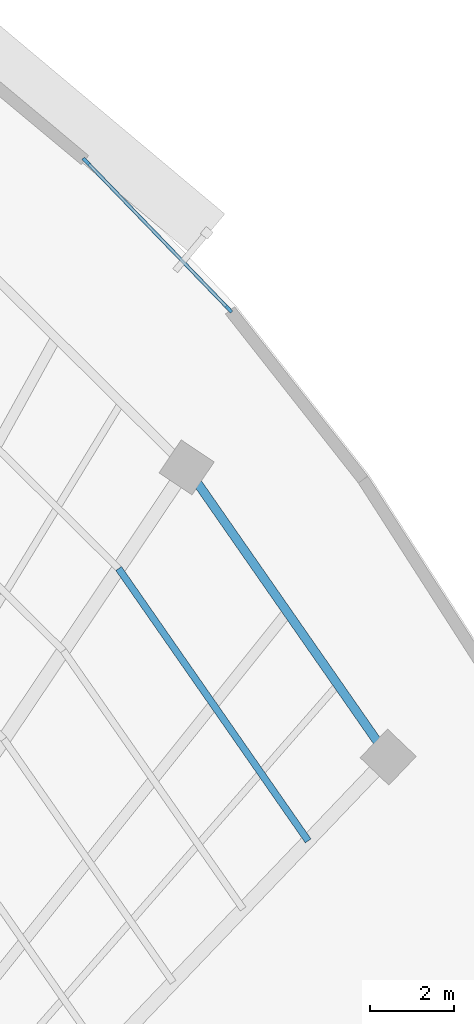
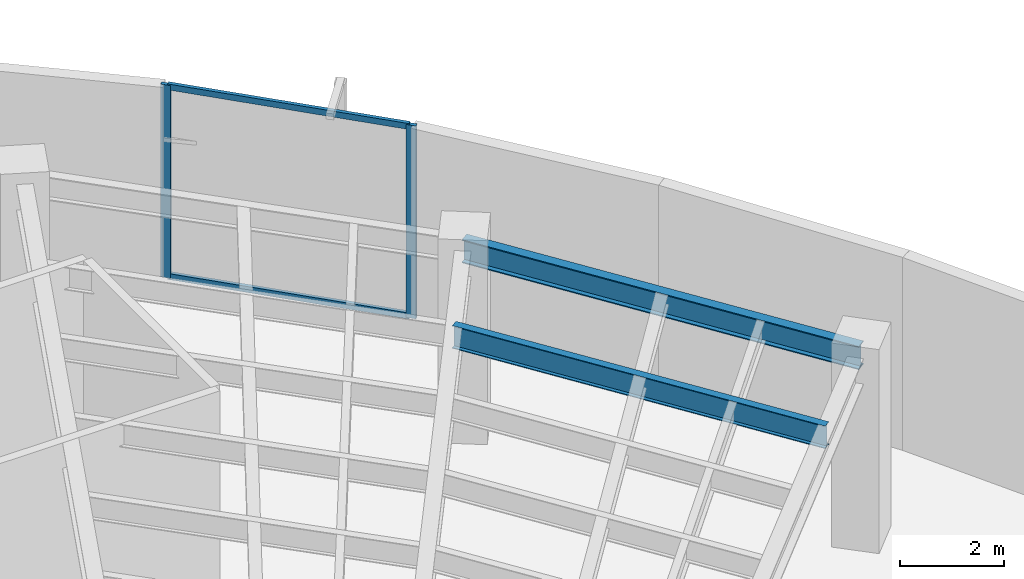
# One storey, part 6 of 15: 4 members, 2 beams, 1 element without a shape of its own.
"""IFC4 building model written with IfcOpenShell, lengths in metres."""

from ifc_helpers import new_model, si_unit, direction, frame, origin, origin_2d, place, context, subcontext, project, spatial, rectangle, i_section, extrude, source, transform, mapped, material, layer, layer_set, material_profile, profile_set, type_object, element, aggregate, save


model = new_model("IFC4")

# Units and contexts
model_context = context("Model", 3, precision=1e-05, world=origin(), true_north=direction((0.0, 1.0)))
body_context = subcontext(model_context, "Body", "Model", "MODEL_VIEW")
ifc_project = project(units=[si_unit("LENGTHUNIT", "METRE"), si_unit("AREAUNIT", "SQUARE_METRE"), si_unit("VOLUMEUNIT", "CUBIC_METRE"), si_unit("PLANEANGLEUNIT", "RADIAN"), si_unit("MASSUNIT", "GRAM", prefix="KILO")], contexts=[model_context])

# Site, building, storey
site_placement = place(None, origin())
site = spatial("IfcSite", under=ifc_project, at=site_placement, CompositionType="ELEMENT")
building_placement = place(site_placement, origin())
building = spatial("IfcBuilding", under=site, at=building_placement, Name="Breltana Convention Tower", CompositionType="ELEMENT")
storey_placement = place(building_placement, frame((0.0, 0.0, 199.199951171875)))
storey = spatial("IfcBuildingStorey", under=building, at=storey_placement, Name="L48", CompositionType="ELEMENT", Elevation=199.199951171875)

# Beams
ifc_material_1 = material(Name="Steel ASTM A992 Grade 50", Category="steel")
ifc_material_profile_1 = material_profile(ifc_material_1, i_section(OverallWidth=0.166015625, OverallDepth=0.534912109375, WebThickness=0.01025390625, FlangeThickness=0.0166015625, at=origin_2d()), Name="W21X57")
ifc_profile_set_1 = profile_set([ifc_material_profile_1], Name="Steel ASTM A992 Grade 50")
beam_type_1 = type_object("IfcBeamType", Name="BM-JSG-05", PredefinedType="JOIST", material=ifc_profile_set_1)
shared_shape_1 = source(origin(), body_context, "Body", "SweptSolid", [
    extrude(i_section(OverallWidth=0.166015625, OverallDepth=0.534912109375, WebThickness=0.01025390625, FlangeThickness=0.0166015625, at=origin_2d()), origin(), (0.0, 0.0, 1.0), 7.94384765625),
])
beam_1_placement = place(storey_placement, frame((73.539306640625, 60.00830078125, 4.2724609375), z_axis=(0.571213957374, -0.820801203034, 0.0), x_axis=(0.820801203034, 0.571213957374, 0.0)))
element("IfcBeam", 1, at=beam_1_placement, inside=storey, type_object=beam_type_1, Name="L48 Composite Floor Joist 10.6", PredefinedType="JOIST", context=body_context, shape_type="MappedRepresentation", body=[
    mapped(shared_shape_1, transform((0.0, 0.0, 0.0), scale=1.0)),
])
ifc_material_profile_2 = material_profile(ifc_material_1, i_section(OverallWidth=0.214111328125, OverallDepth=0.549072265625, WebThickness=0.0146484375, FlangeThickness=0.023681640625, at=origin_2d()), Name="W21X93")
ifc_profile_set_2 = profile_set([ifc_material_profile_2], Name="Steel ASTM A992 Grade 50")
beam_type_2 = type_object("IfcBeamType", Name="BM-SP-W21X93", PredefinedType="SPANDREL", material=ifc_profile_set_2)
shared_shape_2 = source(origin(), body_context, "Body", "SweptSolid", [
    extrude(i_section(OverallWidth=0.214111328125, OverallDepth=0.549072265625, WebThickness=0.0146484375, FlangeThickness=0.023681640625, at=origin_2d()), origin(), (0.0, 0.0, 1.0), 8.44970703125),
])
beam_2_placement = place(storey_placement, frame((75.166748046875, 62.43017578125, 4.265625), z_axis=(0.5711855381, -0.820820979913, 0.0), x_axis=(0.820820979913, 0.5711855381, 0.0)))
element("IfcBeam", 2, at=beam_2_placement, inside=storey, type_object=beam_type_2, Name="L48 Outer Spandrel Beam 10", PredefinedType="SPANDREL", context=body_context, shape_type="MappedRepresentation", body=[
    mapped(shared_shape_2, transform((0.0, 0.0, 0.0), scale=1.0)),
])

# Curtain wall, members
ifc_material_2 = material(Name="Aluminium Anodised Bronze Frame", Category="aluminium")
ifc_layer = layer(ifc_material_2, 0.239990234375, Name="Aluminium Anodised Bronze Frame")
ifc_layer_set = layer_set([ifc_layer], Name="Aluminium Anodised Bronze Frame")
curtain_wall_type = type_object("IfcCurtainWallType", Name="CW-SYS-6", PredefinedType="NOTDEFINED", material=ifc_layer_set)
curtain_wall_placement = place(storey_placement, origin())
curtain_wall = element("IfcCurtainWall", 3, at=curtain_wall_placement, inside=storey, type_object=curtain_wall_type, Name="L48 outer double-skin inner glazing 4", PredefinedType="NOTDEFINED")
ifc_material_3 = material(Name="Aluminium Anodised Bronze", Category="aluminium")
ifc_material_profile_3 = material_profile(ifc_material_3, rectangle(XDim=0.080078125, YDim=0.199951171875, at=origin_2d()), Name="CWM-80X200")
ifc_profile_set_3 = profile_set([ifc_material_profile_3], Name="Aluminium Anodised Bronze")
member_type_1 = type_object("IfcMemberType", Name="CWM-200", PredefinedType="MULLION", material=ifc_profile_set_3)
shared_shape_3 = source(origin(), body_context, "Body", "SweptSolid", [
    extrude(rectangle(XDim=0.080078125, YDim=0.199951171875, at=origin_2d()), origin(), (0.0, 0.0, 1.0), 4.5400390625),
])
member_1_placement = place(storey_placement, frame((72.759765625, 69.759033203125, 0.0), z_axis=(0.0, 0.0, 1.0), x_axis=(0.719396292115, 0.694599866751, 0.0)))
member_1 = element("IfcMember", 4, at=member_1_placement, type_object=member_type_1, Name="CW-06 mullion 1", PredefinedType="MULLION", context=body_context, shape_type="MappedRepresentation", body=[
    mapped(shared_shape_3, transform((0.0, 0.0, 0.0), scale=1.0)),
])
member_2_placement = place(storey_placement, frame((76.177734375, 66.218994140625, 0.0), z_axis=(0.0, 0.0, 1.0), x_axis=(0.719396292115, 0.694599866751, 0.0)))
member_2 = element("IfcMember", 5, at=member_2_placement, type_object=member_type_1, Name="CW-06 mullion 2", PredefinedType="MULLION", context=body_context, shape_type="MappedRepresentation", body=[
    mapped(shared_shape_3, transform((0.0, 0.0, 0.0), scale=1.0)),
])
ifc_material_profile_4 = material_profile(ifc_material_3, rectangle(XDim=0.080078125, YDim=0.139892578125, at=origin_2d()), Name="CWT-80X140")
ifc_profile_set_4 = profile_set([ifc_material_profile_4], Name="Aluminium Anodised Bronze")
member_type_2 = type_object("IfcMemberType", Name="CWT-140", PredefinedType="USERDEFINED", material=ifc_profile_set_4)
shared_shape_4 = source(origin(), body_context, "Body", "SweptSolid", [
    extrude(rectangle(XDim=0.080078125, YDim=0.139892578125, at=origin_2d()), origin(), (0.0, 0.0, 1.0), 4.8408203125),
])
member_3_placement = place(storey_placement, frame((72.787353515625, 69.730224609375, 0.0400390625), z_axis=(0.694617014344, -0.719379735178, 0.0), x_axis=(0.719379735178, 0.694617014344, 0.0)))
member_3 = element("IfcMember", 6, at=member_3_placement, type_object=member_type_2, Name="CW-06 transom 1.1", ObjectType="TRANSOM", PredefinedType="USERDEFINED", context=body_context, shape_type="MappedRepresentation", body=[
    mapped(shared_shape_4, transform((0.0, 0.0, 0.0), scale=1.0)),
])
member_4_placement = place(storey_placement, frame((72.787353515625, 69.730224609375, 4.5), z_axis=(0.694617014344, -0.719379735178, 0.0), x_axis=(0.719379735178, 0.694617014344, 0.0)))
member_4 = element("IfcMember", 7, at=member_4_placement, type_object=member_type_2, Name="CW-06 transom 1.2", ObjectType="TRANSOM", PredefinedType="USERDEFINED", context=body_context, shape_type="MappedRepresentation", body=[
    mapped(shared_shape_4, transform((0.0, 0.0, 0.0), scale=1.0)),
])
aggregate(curtain_wall, [member_1, member_2, member_3, member_4])

save(model, "model.ifc")
